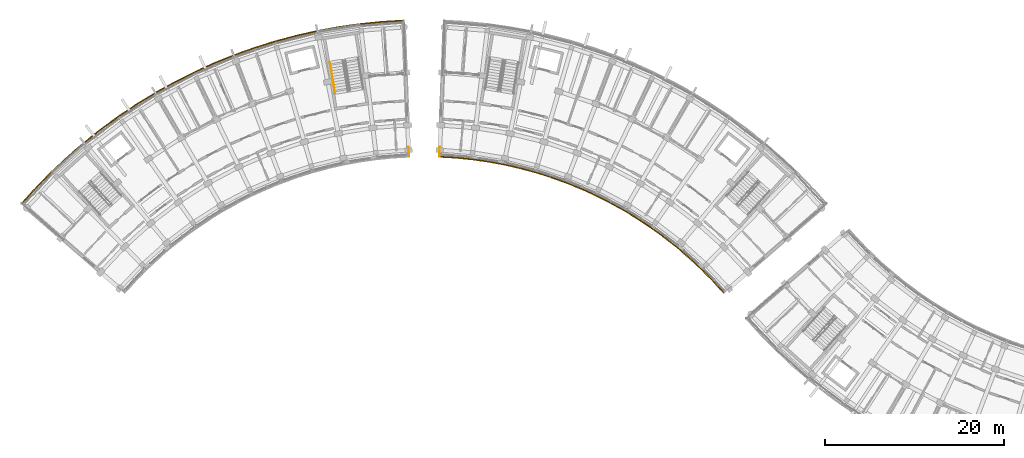
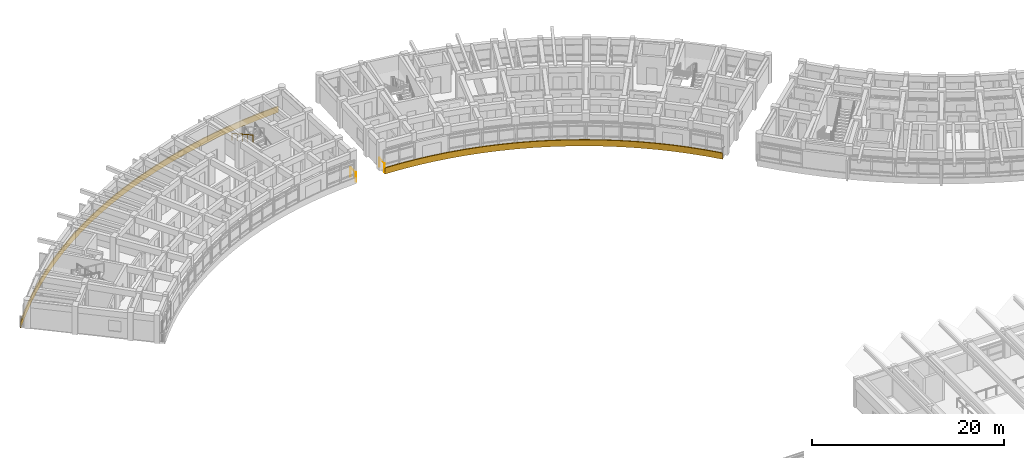
# One storey, part 75 of 83: 5 railings.
"""IFC4 building model written with IfcOpenShell, lengths in metres."""

import ifcopenshell
import ifcopenshell.guid

model = None  # the IFC model being written
_history = None  # IfcOwnerHistory: only IFC2X3 demands one
_inside = {}  # id of a spatial element -> (the spatial element, [elements in it])
_under = {}  # id of a project, library or spatial element -> (it, [spatial elements below it])
_declared = {}  # id of a project -> (the project, [libraries it declares])
_typed = {}  # id of a type object -> (the type object, [elements of that type])
_made_of = {}  # id of a material, layer set ... -> (it, [elements and type objects made of it])


def new_model(schema):
    """Start an empty IFC model of exactly this schema.

    Asked for "IFC4X3", IfcOpenShell would pick the latest addendum, in which some entities
    have other attributes; the version numbers below select the first issue.
    IFC2X3 requires an IfcOwnerHistory on every rooted entity: one is made here for all.
    """
    global model, _history
    if schema == "IFC4X3":
        model = ifcopenshell.file(schema_version=(4, 3, 0, 0))
    else:
        model = ifcopenshell.file(schema=schema)
    _inside.clear()
    _under.clear()
    _declared.clear()
    _typed.clear()
    _made_of.clear()
    _history = None
    if model.schema == "IFC2X3":
        org = make("IfcOrganization", Name="unknown")
        user = make(
            "IfcPersonAndOrganization",
            ThePerson=make("IfcPerson", FamilyName="unknown"),
            TheOrganization=org,
        )
        app = make(
            "IfcApplication",
            ApplicationDeveloper=org,
            Version="unknown",
            ApplicationFullName="unknown",
            ApplicationIdentifier="unknown",
        )
        _history = make(
            "IfcOwnerHistory",
            OwningUser=user,
            OwningApplication=app,
            ChangeAction="ADDED",
            CreationDate=0,
        )
    return model


def make(cls, **values):
    """One entity of the class cls with the attributes given. An attribute that is None is left unset."""
    return model.create_entity(
        cls, **{name: value for name, value in values.items() if value is not None}
    )


def rooted(cls, **values):
    """An entity with a GlobalId (a new one), such as an element, a storey or a relation."""
    return make(cls, GlobalId=ifcopenshell.guid.new(), OwnerHistory=_history, **values)


def si_unit(unit_type, name, prefix=None):
    """IfcSIUnit, for example si_unit("LENGTHUNIT", "METRE", prefix="MILLI")."""
    return make("IfcSIUnit", UnitType=unit_type, Prefix=prefix, Name=name)


def assignment(units):
    """IfcUnitAssignment: the units of a project."""
    return None if units is None else make("IfcUnitAssignment", Units=units)


def point(xyz):
    """IfcCartesianPoint."""
    return None if xyz is None else make("IfcCartesianPoint", Coordinates=xyz)


def direction(xyz):
    """IfcDirection."""
    return None if xyz is None else make("IfcDirection", DirectionRatios=xyz)


def frame(location, z_axis=None, x_axis=None):
    """IfcAxis2Placement3D, a coordinate frame: its origin and axes. An axis left out is left unset."""
    return make(
        "IfcAxis2Placement3D",
        Location=point(location),
        Axis=direction(z_axis),
        RefDirection=direction(x_axis),
    )


def frame_2d(location, x_axis=None):
    """IfcAxis2Placement2D, a coordinate frame in the plane: its origin and x axis."""
    return make(
        "IfcAxis2Placement2D", Location=point(location), RefDirection=direction(x_axis)
    )


def origin():
    """The frame at (0, 0, 0) with its axes left unset."""
    return frame((0.0, 0.0, 0.0))


def origin_2d():
    """The frame at (0, 0) in the plane with its x axis left unset."""
    return frame_2d((0.0, 0.0))


def place(relative_to, where):
    """IfcLocalPlacement: puts the frame where relative to a parent placement (None: the world)."""
    return make(
        "IfcLocalPlacement", PlacementRelTo=relative_to, RelativePlacement=where
    )


def context(
    kind, dimensions, precision=None, world=None, true_north=None, identifier=None
):
    """IfcGeometricRepresentationContext, for example the 3D "Model" context."""
    return make(
        "IfcGeometricRepresentationContext",
        ContextIdentifier=identifier,
        ContextType=kind,
        CoordinateSpaceDimension=dimensions,
        Precision=precision,
        WorldCoordinateSystem=world,
        TrueNorth=true_north,
    )


def subcontext(parent, identifier, kind, view, scale=None):
    """IfcGeometricRepresentationSubContext, for example "Body" below "Model"."""
    return make(
        "IfcGeometricRepresentationSubContext",
        ContextIdentifier=identifier,
        ContextType=kind,
        ParentContext=parent,
        TargetScale=scale,
        TargetView=view,
    )


def project(units=None, contexts=None):
    """IfcProject with its units and contexts."""
    return rooted(
        "IfcProject",
        Name="project",
        RepresentationContexts=contexts,
        UnitsInContext=assignment(units),
    )


def spatial(cls, under=None, at=None, **own):
    """A site, building, storey or space (cls), placed at a placement, below another one or the project."""
    s = rooted(cls, ObjectPlacement=at, **own)
    if under is not None:
        _under.setdefault(under.id(), (under, []))[1].append(s)
    return s


def polyline(points):
    """IfcPolyline through the points."""
    return make("IfcPolyline", Points=[point(p) for p in points])


def profile(cls, at=None, kind="AREA", **sizes):
    """A parametric profile (cls). Its sizes go by their IFC names, for example OverallWidth=200.0."""
    return make(cls, ProfileType=kind, Position=at, **sizes)


def circle(**sizes):
    """IfcCircleProfileDef."""
    return profile("IfcCircleProfileDef", **sizes)


def outline(outer, holes=None, kind="AREA"):
    """IfcArbitraryClosedProfileDef: a profile drawn as a closed curve; with holes, ...WithVoids."""
    if holes is None:
        return make("IfcArbitraryClosedProfileDef", ProfileType=kind, OuterCurve=outer)
    return make(
        "IfcArbitraryProfileDefWithVoids",
        ProfileType=kind,
        OuterCurve=outer,
        InnerCurves=holes,
    )


def extrude(swept, where, along, depth):
    """IfcExtrudedAreaSolid: the profile swept, set in the frame where, extruded along a direction by depth."""
    return make(
        "IfcExtrudedAreaSolid",
        SweptArea=swept,
        Position=where,
        ExtrudedDirection=direction(along),
        Depth=depth,
    )


def shape(context_of_items, identifier, shape_type, items):
    """IfcShapeRepresentation: the items that make up one representation, for example the "Body"."""
    return make(
        "IfcShapeRepresentation",
        ContextOfItems=context_of_items,
        RepresentationIdentifier=identifier,
        RepresentationType=shape_type,
        Items=items,
    )


def material(Name=None, Category=None):
    """IfcMaterial."""
    return make("IfcMaterial", Name=Name, Category=Category)


def made_of(thing, what):
    """Note that an element or type object is made of a material, layer set ...; save() writes the relation."""
    if what is not None:
        _made_of.setdefault(what.id(), (what, []))[1].append(thing)
    return thing


def type_object(cls, material=None, **own):
    """A type object (cls), such as IfcWallType, which elements share."""
    return made_of(rooted(cls, **own), material)


def element(
    cls,
    number,
    at=None,
    inside=None,
    cuts=None,
    type_object=None,
    material=None,
    context=None,
    identifier="Body",
    shape_type=None,
    held_by="IfcProductDefinitionShape",
    body=None,
    shapes=None,
    **own,
):
    """One element of the class cls, such as IfcWall. Its Tag is "e" and its number.

    at: its placement. inside: the storey or other place that contains it. cuts: it is an
    opening in that element (IfcRelVoidsElement). A single representation is given by context,
    identifier, shape_type and body (its items); several are given by shapes. held_by: the class
    of the entity that holds the representations. save() writes the other relations.
    """
    e = rooted(cls, Tag="e%d" % number, ObjectPlacement=at, **own)
    if body is not None:
        shapes = [shape(context, identifier, shape_type, body)]
    if shapes is not None:
        e.Representation = make(held_by, Representations=shapes)
    if inside is not None:
        _inside.setdefault(inside.id(), (inside, []))[1].append(e)
    if cuts is not None:
        rooted(
            "IfcRelVoidsElement", RelatingBuildingElement=cuts, RelatedOpeningElement=e
        )
    if type_object is not None:
        _typed.setdefault(type_object.id(), (type_object, []))[1].append(e)
    return made_of(e, material)


def aggregate(whole, parts):
    """IfcRelAggregates: a whole, such as a stair, and the parts it consists of."""
    return rooted("IfcRelAggregates", RelatingObject=whole, RelatedObjects=parts)


def save(model, path):
    """Write the relations noted so far, then the file.

    IfcRelAggregates (storeys below a building ...), IfcRelContainedInSpatialStructure (elements
    in a storey), IfcRelDefinesByType, IfcRelAssociatesMaterial and IfcRelDeclares: one each for
    every whole, place, type object, material and project.
    """
    for whole, parts in _under.values():
        aggregate(whole, parts)
    for where, things in _inside.values():
        rooted(
            "IfcRelContainedInSpatialStructure",
            RelatedElements=things,
            RelatingStructure=where,
        )
    for kind, things in _typed.values():
        rooted("IfcRelDefinesByType", RelatedObjects=things, RelatingType=kind)
    for what, things in _made_of.values():
        rooted("IfcRelAssociatesMaterial", RelatedObjects=things, RelatingMaterial=what)
    for by, libraries in _declared.values():
        rooted("IfcRelDeclares", RelatingContext=by, RelatedDefinitions=libraries)
    model.write(path)


model = new_model("IFC4")

# Units and contexts
model_context = context("Model", 3, precision=1e-05, world=origin(), true_north=direction((0.0, 1.0)))
body_context = subcontext(model_context, "Body", "Model", "MODEL_VIEW")
ifc_project = project(units=[si_unit("LENGTHUNIT", "METRE"), si_unit("AREAUNIT", "SQUARE_METRE"), si_unit("VOLUMEUNIT", "CUBIC_METRE"), si_unit("PLANEANGLEUNIT", "RADIAN"), si_unit("MASSUNIT", "GRAM", prefix="KILO")], contexts=[model_context])

# Site, building, storey
site_placement = place(None, origin())
site = spatial("IfcSite", under=ifc_project, at=site_placement, CompositionType="ELEMENT")
building_placement = place(site_placement, origin())
building = spatial("IfcBuilding", under=site, at=building_placement, Name="Zimvara Arc Housing Community", CompositionType="ELEMENT")
storey_placement = place(building_placement, frame((0.0, 0.0, 4.5)))
storey = spatial("IfcBuildingStorey", under=building, at=storey_placement, Name="L01", CompositionType="ELEMENT", Elevation=4.5)

# Railings
ifc_material_1 = material(Name="Anodised Aluminium AW-6063", Category="aluminium")
railing_type_1 = type_object("IfcRailingType", Name="RLG-BAL-1150", PredefinedType="BALUSTRADE", material=ifc_material_1)
railing_1_placement = place(storey_placement, frame((43.295654296875, 88.8671875, 0.0)))
element("IfcRailing", 1, at=railing_1_placement, inside=storey, type_object=railing_type_1, Name="rlg:blkA:L01:gable_in:gN", PredefinedType="BALUSTRADE", context=body_context, shape_type="SweptSolid", body=[
    extrude(circle(Radius=0.02392578125, at=origin_2d()), frame((0.0, 0.0, 1.1259765625), z_axis=(-0.038424441628, 0.999261508458, 0.0), x_axis=(-0.999261508458, -0.038424441628, 0.0)), (0.0, 0.0, 1.0), 1.080078125),
    extrude(circle(Radius=0.02099609375, at=origin_2d()), origin(), (0.0, 0.0, 1.0), 1.101806640625),
    extrude(circle(Radius=0.02099609375, at=origin_2d()), frame((-0.04150390625, 1.079345703125, 0.0)), (0.0, 0.0, 1.0), 1.101806640625),
])
railing_2_placement = place(storey_placement, frame((46.704345703125, 88.8671875, 0.0)))
element("IfcRailing", 2, at=railing_2_placement, inside=storey, type_object=railing_type_1, Name="rlg:blkB:L01:gable_in:g0", PredefinedType="BALUSTRADE", context=body_context, shape_type="SweptSolid", body=[
    extrude(circle(Radius=0.02392578125, at=origin_2d()), frame((0.0, 0.0, 1.1259765625), z_axis=(0.038424441628, 0.999261508458, 0.0), x_axis=(-0.999261508458, 0.038424441628, 0.0)), (0.0, 0.0, 1.0), 1.080078125),
    extrude(circle(Radius=0.02099609375, at=origin_2d()), origin(), (0.0, 0.0, 1.0), 1.101806640625),
    extrude(circle(Radius=0.02099609375, at=origin_2d()), frame((0.04150390625, 1.079345703125, 0.0)), (0.0, 0.0, 1.0), 1.101806640625),
])
ifc_material_2 = material(Name="Pale-Gold Anodised Aluminium AW-6063", Category="aluminium")
railing_type_2 = type_object("IfcRailingType", Name="RLG-FAS-780", PredefinedType="BALUSTRADE", material=ifc_material_2)
railing_3_placement = place(storey_placement, frame((0.0, 0.0, -0.219970703125)))
element("IfcRailing", 3, at=railing_3_placement, inside=storey, type_object=railing_type_2, Name="rlg:blkA:L01:gold_out", PredefinedType="BALUSTRADE", context=body_context, shape_type="SweptSolid", body=[
    extrude(outline(polyline([(0.049560546875, 83.574951171875), (1.682373046875, 85.377685546875), (3.387451171875, 87.112060546875), (5.162109375, 88.775634765625), (7.0029296875, 90.365234375), (8.9072265625, 91.87841796875), (10.871826171875, 93.3125), (12.893310546875, 94.665283203125), (14.96826171875, 95.934326171875), (17.09326171875, 97.11767578125), (19.264892578125, 98.213134765625), (21.4794921875, 99.218994140625), (23.733154296875, 100.1337890625), (26.0224609375, 100.955810546875), (28.34326171875, 101.68359375), (30.692138671875, 102.31591796875), (33.064453125, 102.851806640625), (35.45703125, 103.29052734375), (37.865234375, 103.631103515625), (40.28564453125, 103.873046875), (42.713623046875, 104.01611328125), (42.708984375, 104.135986328125), (40.276123046875, 103.99267578125), (37.850830078125, 103.750244140625), (35.437744140625, 103.408935546875), (33.04052734375, 102.969482421875), (30.6630859375, 102.432373046875), (28.309814453125, 101.798583984375), (25.984375, 101.069580078125), (23.6904296875, 100.245849609375), (21.43212890625, 99.329345703125), (19.213134765625, 98.3212890625), (17.037109375, 97.2236328125), (14.90771484375, 96.037841796875), (12.82861328125, 94.766357421875), (10.802978515625, 93.410888671875), (8.834716796875, 91.973876953125), (6.926513671875, 90.457763671875), (5.081787109375, 88.86474609375), (3.3037109375, 87.197998046875), (1.59521484375, 85.4599609375), (-0.041015625, 83.653564453125), (0.049560546875, 83.574951171875)])), origin(), (0.0, 0.0, 1.0), 0.780029296875),
])
railing_4_placement = place(storey_placement, frame((0.0, 0.0, -0.219970703125)))
element("IfcRailing", 4, at=railing_4_placement, inside=storey, type_object=railing_type_2, Name="rlg:blkB:L01:gold_in", PredefinedType="BALUSTRADE", context=body_context, shape_type="SweptSolid", body=[
    extrude(outline(polyline([(46.701416015625, 88.787353515625), (48.508056640625, 88.680908203125), (50.30908203125, 88.5009765625), (52.101318359375, 88.247314453125), (53.88134765625, 87.9208984375), (55.64697265625, 87.522216796875), (57.39453125, 87.051513671875), (59.12158203125, 86.510009765625), (60.8251953125, 85.8984375), (62.502197265625, 85.2177734375), (64.150146484375, 84.46923828125), (65.765869140625, 83.654052734375), (67.347412109375, 82.7734375), (68.891357421875, 81.8291015625), (70.3955078125, 80.822509765625), (71.857421875, 79.75537109375), (73.2744140625, 78.62939453125), (74.644287109375, 77.446533203125), (75.96484375, 76.208740234375), (77.233642578125, 74.91796875), (78.44873046875, 73.576416015625), (78.539306640625, 73.6552734375), (77.321044921875, 75.000244140625), (76.048583984375, 76.29443359375), (74.724609375, 77.53564453125), (73.35107421875, 78.721923828125), (71.93017578125, 79.850830078125), (70.46435546875, 80.9208984375), (68.9560546875, 81.93017578125), (67.40771484375, 82.877197265625), (65.822265625, 83.760009765625), (64.201904296875, 84.577392578125), (62.549560546875, 85.328125), (60.867919921875, 86.010498046875), (59.159912109375, 86.623779296875), (57.42822265625, 87.166748046875), (55.67578125, 87.638671875), (53.905517578125, 88.03857421875), (52.120361328125, 88.365966796875), (50.323486328125, 88.6201171875), (48.517578125, 88.800537109375), (46.7060546875, 88.9072265625), (46.701416015625, 88.787353515625)])), origin(), (0.0, 0.0, 1.0), 0.780029296875),
])
ifc_material_3 = material(Name="Anodised Aluminium AW-6063", Category="aluminium")
railing_type_3 = type_object("IfcRailingType", Name="RLG-HND-900", PredefinedType="HANDRAIL", material=ifc_material_3)
railing_5_placement = place(storey_placement, frame((34.4794921875, 99.388427734375, 1.949951171875)))
element("IfcRailing", 5, at=railing_5_placement, inside=storey, type_object=railing_type_3, Name="L01 ST-A2 stair handrail 2", PredefinedType="HANDRAIL", context=body_context, shape_type="SweptSolid", body=[
    extrude(circle(Radius=0.02392578125, at=origin_2d()), frame((0.0, 0.0, 0.8759765625), z_axis=(0.144659755628, -0.891177887684, 0.429971542784), x_axis=(0.987080189956, 0.160227022054, 0.0)), (0.0, 0.0, 1.0), 3.837890625),
    extrude(circle(Radius=0.02099609375, at=origin_2d()), origin(), (0.0, 0.0, 1.0), 0.851806640625),
    extrude(circle(Radius=0.02099609375, at=origin_2d()), frame((0.138671875, -0.85498046875, 0.41259765625)), (0.0, 0.0, 1.0), 0.851806640625),
    extrude(circle(Radius=0.02099609375, at=origin_2d()), frame((0.277587890625, -1.7099609375, 0.8251953125)), (0.0, 0.0, 1.0), 0.851806640625),
    extrude(circle(Radius=0.02099609375, at=origin_2d()), frame((0.41650390625, -2.565185546875, 1.237548828125)), (0.0, 0.0, 1.0), 0.851806640625),
    extrude(circle(Radius=0.02099609375, at=origin_2d()), frame((0.55517578125, -3.420166015625, 1.650146484375)), (0.0, 0.0, 1.0), 0.851806640625),
])

save(model, "model.ifc")
